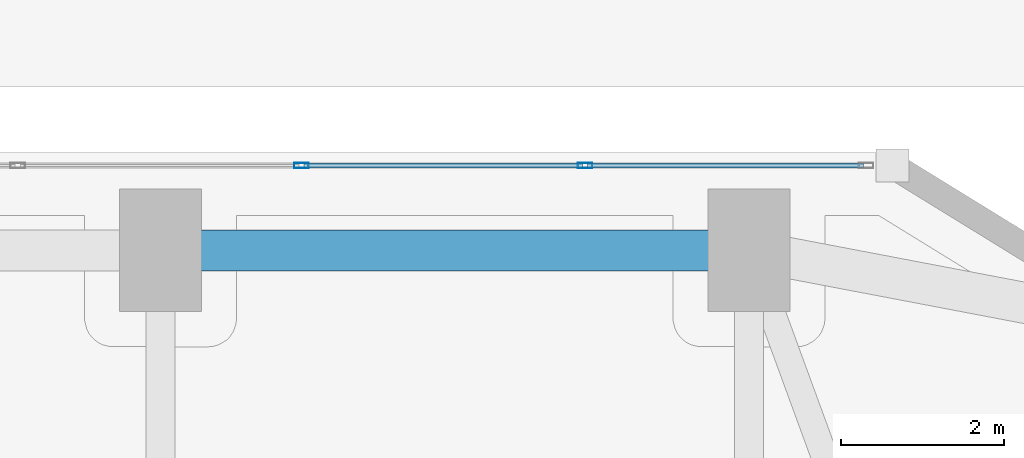
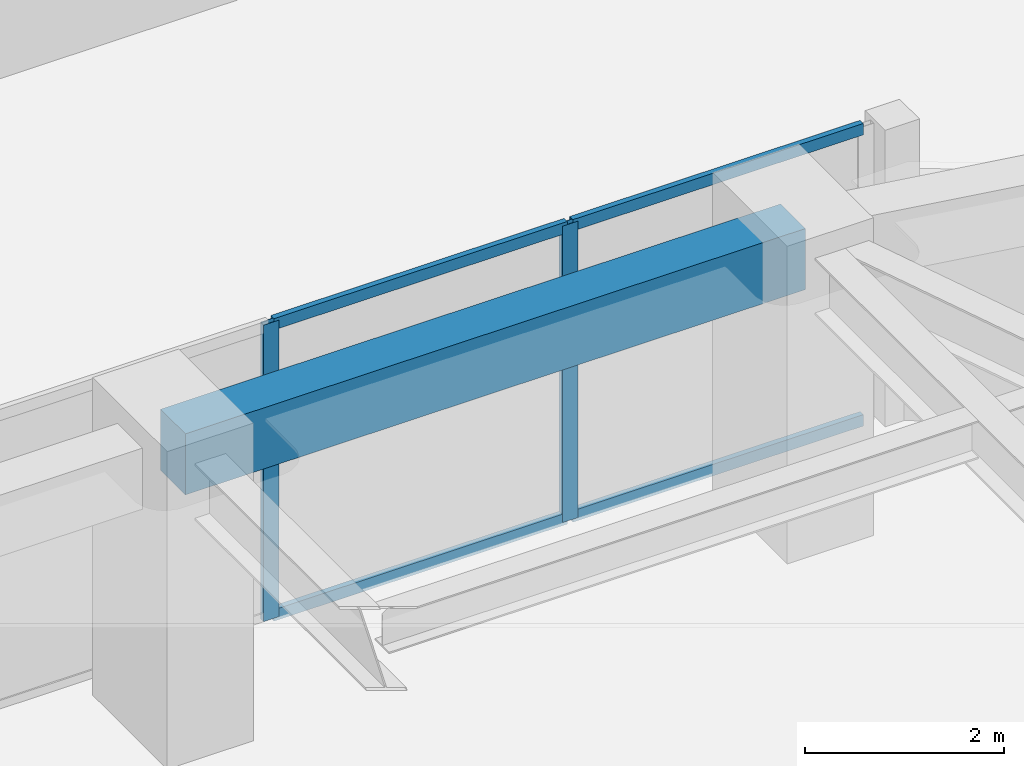
# One storey, part 11 of 38: 6 members, 1 beam, 1 element without a shape of its own.
"""IFC4 building model written with IfcOpenShell, lengths in metres."""

from ifc_helpers import new_model, si_unit, direction, frame, origin, origin_2d, place, context, subcontext, project, spatial, rectangle, hollow_rectangle, extrude, material, layer, layer_set, material_profile, profile_set, type_object, element, aggregate, save


model = new_model("IFC4")

# Units and contexts
model_context = context("Model", 3, precision=1e-05, world=origin(), true_north=direction((0.0, 1.0)))
body_context = subcontext(model_context, "Body", "Model", "MODEL_VIEW")
ifc_project = project(units=[si_unit("LENGTHUNIT", "METRE"), si_unit("AREAUNIT", "SQUARE_METRE"), si_unit("VOLUMEUNIT", "CUBIC_METRE"), si_unit("PLANEANGLEUNIT", "RADIAN"), si_unit("MASSUNIT", "GRAM", prefix="KILO")], contexts=[model_context])

# Site, building, storey
site_placement = place(None, origin())
site = spatial("IfcSite", under=ifc_project, at=site_placement, CompositionType="ELEMENT")
building_placement = place(site_placement, origin())
building = spatial("IfcBuilding", under=site, at=building_placement, Name="Kiyonajd Concourse Tower", CompositionType="ELEMENT")
storey_placement = place(building_placement, frame((0.0, 0.0, 21.60009765625)))
storey = spatial("IfcBuildingStorey", under=building, at=storey_placement, Name="L06", CompositionType="ELEMENT", Elevation=21.60009765625)

# Beam
ifc_material_1 = material(Name="Precast concrete C50/60", Category="concrete")
ifc_material_profile_1 = material_profile(ifc_material_1, rectangle(XDim=0.5, YDim=0.75, at=origin_2d()), Name="RCBM-500x750")
ifc_profile_set_1 = profile_set([ifc_material_profile_1], Name="Precast concrete C50/60")
beam_type = type_object("IfcBeamType", Name="BM-SPAN-RC", PredefinedType="SPANDREL", material=ifc_profile_set_1)
beam_placement = place(storey_placement, frame((39.60009765625, 61.199951171875, 3.264892578125), z_axis=(-1.0, 0.0, 0.0), x_axis=(0.0, -1.0, 0.0)))
element("IfcBeam", 1, at=beam_placement, inside=storey, type_object=beam_type, Name="L06 Perimeter Bundled Tube Spandrel", PredefinedType="SPANDREL", context=body_context, shape_type="SweptSolid", body=[
    extrude(rectangle(XDim=0.5, YDim=0.75, at=origin_2d()), origin(), (0.0, 0.0, 1.0), 7.2001953125),
])

# Curtain wall, members
ifc_material_2 = material(Name="Thermally Broken Anodised Aluminium", Category="aluminium")
ifc_layer = layer(ifc_material_2, 0.179931640625)
ifc_layer_set = layer_set([ifc_layer], Name="Thermally Broken Anodised Aluminium")
curtain_wall_type = type_object("IfcCurtainWallType", Name="CW-SYS-02", PredefinedType="NOTDEFINED", material=ifc_layer_set)
curtain_wall_placement = place(storey_placement, origin())
curtain_wall = element("IfcCurtainWall", 2, at=curtain_wall_placement, inside=storey, type_object=curtain_wall_type, Name="L06 Unitised Curtain Wall CW2", PredefinedType="NOTDEFINED")
ifc_material_profile_2 = material_profile(ifc_material_2, hollow_rectangle(XDim=0.06494140625, YDim=0.179931640625, WallThickness=0.00390625, at=origin_2d()), Name="MULL-65x180")
ifc_profile_set_2 = profile_set([ifc_material_profile_2], Name="Thermally Broken Anodised Aluminium")
member_type_1 = type_object("IfcMemberType", Name="MB-CW-MULL1", PredefinedType="MULLION", material=ifc_profile_set_2)
member_1_placement = place(storey_placement, frame((34.123291015625, 62.239990234375, 0.0), z_axis=(0.0, 0.0, 1.0), x_axis=(0.0, 1.0, 0.0)))
member_1 = element("IfcMember", 3, at=member_1_placement, type_object=member_type_1, Name="CW2 mullion 4", PredefinedType="MULLION", context=body_context, shape_type="SweptSolid", body=[
    extrude(hollow_rectangle(XDim=0.06494140625, YDim=0.179931640625, WallThickness=0.00390625, at=origin_2d()), origin(), (0.0, 0.0, 1.0), 3.639892578125),
])
member_2_placement = place(storey_placement, frame((37.593994140625, 62.239990234375, 0.0), z_axis=(0.0, 0.0, 1.0), x_axis=(0.0, 1.0, 0.0)))
member_2 = element("IfcMember", 4, at=member_2_placement, type_object=member_type_1, Name="CW2 mullion 5", PredefinedType="MULLION", context=body_context, shape_type="SweptSolid", body=[
    extrude(hollow_rectangle(XDim=0.06494140625, YDim=0.179931640625, WallThickness=0.00390625, at=origin_2d()), origin(), (0.0, 0.0, 1.0), 3.639892578125),
])
ifc_material_profile_3 = material_profile(ifc_material_2, hollow_rectangle(XDim=0.06494140625, YDim=0.139892578125, WallThickness=0.00390625, at=origin_2d()), Name="TRAN-65x140")
ifc_profile_set_3 = profile_set([ifc_material_profile_3], Name="Thermally Broken Anodised Aluminium")
member_type_2 = type_object("IfcMemberType", Name="MB-CW-TRAN1", PredefinedType="USERDEFINED", material=ifc_profile_set_3)
member_3_placement = place(storey_placement, frame((34.15576171875, 62.239990234375, 0.032470703125), z_axis=(1.0, 0.0, 0.0), x_axis=(0.0, 1.0, 0.0)))
member_3 = element("IfcMember", 5, at=member_3_placement, type_object=member_type_2, Name="CW2 transom 4.1", ObjectType="TRANSOM", PredefinedType="USERDEFINED", context=body_context, shape_type="SweptSolid", body=[
    extrude(hollow_rectangle(XDim=0.06494140625, YDim=0.139892578125, WallThickness=0.00390625, at=origin_2d()), origin(), (0.0, 0.0, 1.0), 3.40576171875),
])
member_4_placement = place(storey_placement, frame((34.15576171875, 62.239990234375, 3.607421875), z_axis=(1.0, 0.0, 0.0), x_axis=(0.0, 1.0, 0.0)))
member_4 = element("IfcMember", 6, at=member_4_placement, type_object=member_type_2, Name="CW2 transom 4.2", ObjectType="TRANSOM", PredefinedType="USERDEFINED", context=body_context, shape_type="SweptSolid", body=[
    extrude(hollow_rectangle(XDim=0.06494140625, YDim=0.139892578125, WallThickness=0.00390625, at=origin_2d()), origin(), (0.0, 0.0, 1.0), 3.40576171875),
])
member_5_placement = place(storey_placement, frame((37.62646484375, 62.239990234375, 0.032470703125), z_axis=(1.0, 0.0, 0.0), x_axis=(0.0, 1.0, 0.0)))
member_5 = element("IfcMember", 7, at=member_5_placement, type_object=member_type_2, Name="CW2 transom 5.1", ObjectType="TRANSOM", PredefinedType="USERDEFINED", context=body_context, shape_type="SweptSolid", body=[
    extrude(hollow_rectangle(XDim=0.06494140625, YDim=0.139892578125, WallThickness=0.00390625, at=origin_2d()), origin(), (0.0, 0.0, 1.0), 3.373291015625),
])
member_6_placement = place(storey_placement, frame((37.62646484375, 62.239990234375, 3.607421875), z_axis=(1.0, 0.0, 0.0), x_axis=(0.0, 1.0, 0.0)))
member_6 = element("IfcMember", 8, at=member_6_placement, type_object=member_type_2, Name="CW2 transom 5.2", ObjectType="TRANSOM", PredefinedType="USERDEFINED", context=body_context, shape_type="SweptSolid", body=[
    extrude(hollow_rectangle(XDim=0.06494140625, YDim=0.139892578125, WallThickness=0.00390625, at=origin_2d()), origin(), (0.0, 0.0, 1.0), 3.373291015625),
])
aggregate(curtain_wall, [member_1, member_2, member_3, member_4, member_5, member_6])

save(model, "model.ifc")
